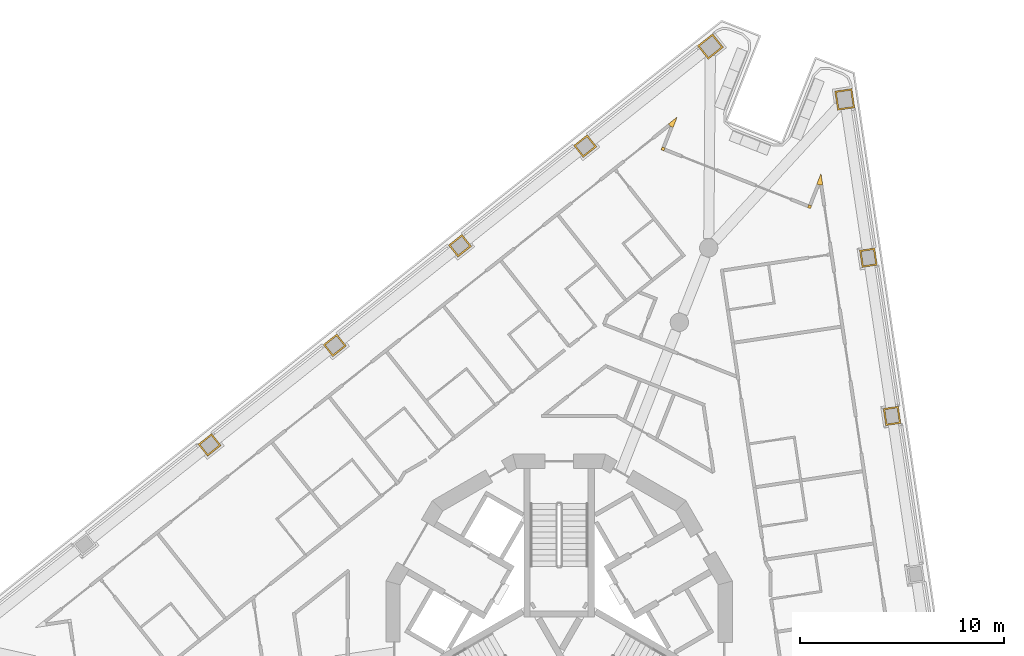
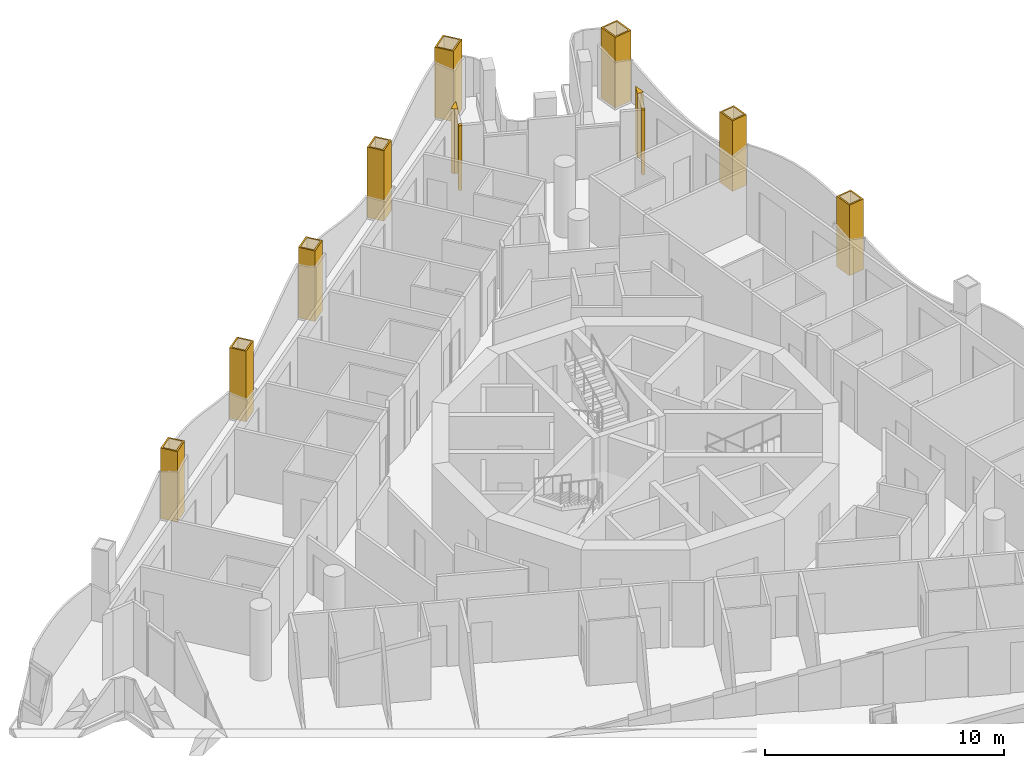
# One storey, part 16 of 17: 12 coverings.
"""IFC4 building model written with IfcOpenShell, lengths in metres."""

import ifcopenshell
import ifcopenshell.guid

model = None  # the IFC model being written
_history = None  # IfcOwnerHistory: only IFC2X3 demands one
_inside = {}  # id of a spatial element -> (the spatial element, [elements in it])
_under = {}  # id of a project, library or spatial element -> (it, [spatial elements below it])
_declared = {}  # id of a project -> (the project, [libraries it declares])
_typed = {}  # id of a type object -> (the type object, [elements of that type])
_made_of = {}  # id of a material, layer set ... -> (it, [elements and type objects made of it])


def new_model(schema):
    """Start an empty IFC model of exactly this schema.

    Asked for "IFC4X3", IfcOpenShell would pick the latest addendum, in which some entities
    have other attributes; the version numbers below select the first issue.
    IFC2X3 requires an IfcOwnerHistory on every rooted entity: one is made here for all.
    """
    global model, _history
    if schema == "IFC4X3":
        model = ifcopenshell.file(schema_version=(4, 3, 0, 0))
    else:
        model = ifcopenshell.file(schema=schema)
    _inside.clear()
    _under.clear()
    _declared.clear()
    _typed.clear()
    _made_of.clear()
    _history = None
    if model.schema == "IFC2X3":
        org = make("IfcOrganization", Name="unknown")
        user = make(
            "IfcPersonAndOrganization",
            ThePerson=make("IfcPerson", FamilyName="unknown"),
            TheOrganization=org,
        )
        app = make(
            "IfcApplication",
            ApplicationDeveloper=org,
            Version="unknown",
            ApplicationFullName="unknown",
            ApplicationIdentifier="unknown",
        )
        _history = make(
            "IfcOwnerHistory",
            OwningUser=user,
            OwningApplication=app,
            ChangeAction="ADDED",
            CreationDate=0,
        )
    return model


def make(cls, **values):
    """One entity of the class cls with the attributes given. An attribute that is None is left unset."""
    return model.create_entity(
        cls, **{name: value for name, value in values.items() if value is not None}
    )


def rooted(cls, **values):
    """An entity with a GlobalId (a new one), such as an element, a storey or a relation."""
    return make(cls, GlobalId=ifcopenshell.guid.new(), OwnerHistory=_history, **values)


def si_unit(unit_type, name, prefix=None):
    """IfcSIUnit, for example si_unit("LENGTHUNIT", "METRE", prefix="MILLI")."""
    return make("IfcSIUnit", UnitType=unit_type, Prefix=prefix, Name=name)


def assignment(units):
    """IfcUnitAssignment: the units of a project."""
    return None if units is None else make("IfcUnitAssignment", Units=units)


def point(xyz):
    """IfcCartesianPoint."""
    return None if xyz is None else make("IfcCartesianPoint", Coordinates=xyz)


def direction(xyz):
    """IfcDirection."""
    return None if xyz is None else make("IfcDirection", DirectionRatios=xyz)


def frame(location, z_axis=None, x_axis=None):
    """IfcAxis2Placement3D, a coordinate frame: its origin and axes. An axis left out is left unset."""
    return make(
        "IfcAxis2Placement3D",
        Location=point(location),
        Axis=direction(z_axis),
        RefDirection=direction(x_axis),
    )


def origin():
    """The frame at (0, 0, 0) with its axes left unset."""
    return frame((0.0, 0.0, 0.0))


def place(relative_to, where):
    """IfcLocalPlacement: puts the frame where relative to a parent placement (None: the world)."""
    return make(
        "IfcLocalPlacement", PlacementRelTo=relative_to, RelativePlacement=where
    )


def context(
    kind, dimensions, precision=None, world=None, true_north=None, identifier=None
):
    """IfcGeometricRepresentationContext, for example the 3D "Model" context."""
    return make(
        "IfcGeometricRepresentationContext",
        ContextIdentifier=identifier,
        ContextType=kind,
        CoordinateSpaceDimension=dimensions,
        Precision=precision,
        WorldCoordinateSystem=world,
        TrueNorth=true_north,
    )


def subcontext(parent, identifier, kind, view, scale=None):
    """IfcGeometricRepresentationSubContext, for example "Body" below "Model"."""
    return make(
        "IfcGeometricRepresentationSubContext",
        ContextIdentifier=identifier,
        ContextType=kind,
        ParentContext=parent,
        TargetScale=scale,
        TargetView=view,
    )


def project(units=None, contexts=None):
    """IfcProject with its units and contexts."""
    return rooted(
        "IfcProject",
        Name="project",
        RepresentationContexts=contexts,
        UnitsInContext=assignment(units),
    )


def spatial(cls, under=None, at=None, **own):
    """A site, building, storey or space (cls), placed at a placement, below another one or the project."""
    s = rooted(cls, ObjectPlacement=at, **own)
    if under is not None:
        _under.setdefault(under.id(), (under, []))[1].append(s)
    return s


def polyline(points):
    """IfcPolyline through the points."""
    return make("IfcPolyline", Points=[point(p) for p in points])


def outline(outer, holes=None, kind="AREA"):
    """IfcArbitraryClosedProfileDef: a profile drawn as a closed curve; with holes, ...WithVoids."""
    if holes is None:
        return make("IfcArbitraryClosedProfileDef", ProfileType=kind, OuterCurve=outer)
    return make(
        "IfcArbitraryProfileDefWithVoids",
        ProfileType=kind,
        OuterCurve=outer,
        InnerCurves=holes,
    )


def extrude(swept, where, along, depth):
    """IfcExtrudedAreaSolid: the profile swept, set in the frame where, extruded along a direction by depth."""
    return make(
        "IfcExtrudedAreaSolid",
        SweptArea=swept,
        Position=where,
        ExtrudedDirection=direction(along),
        Depth=depth,
    )


def shape(context_of_items, identifier, shape_type, items):
    """IfcShapeRepresentation: the items that make up one representation, for example the "Body"."""
    return make(
        "IfcShapeRepresentation",
        ContextOfItems=context_of_items,
        RepresentationIdentifier=identifier,
        RepresentationType=shape_type,
        Items=items,
    )


def material(Name=None, Category=None):
    """IfcMaterial."""
    return make("IfcMaterial", Name=Name, Category=Category)


def layer(
    of_material, thickness, ventilated=None, Name=None, Category=None, Priority=None
):
    """IfcMaterialLayer: one layer of a wall or slab, of a material (None: an air gap)."""
    return make(
        "IfcMaterialLayer",
        Material=of_material,
        LayerThickness=thickness,
        IsVentilated=ventilated,
        Name=Name,
        Category=Category,
        Priority=Priority,
    )


def layer_set(layers, Name=None):
    """IfcMaterialLayerSet."""
    return make("IfcMaterialLayerSet", MaterialLayers=layers, LayerSetName=Name)


def made_of(thing, what):
    """Note that an element or type object is made of a material, layer set ...; save() writes the relation."""
    if what is not None:
        _made_of.setdefault(what.id(), (what, []))[1].append(thing)
    return thing


def type_object(cls, material=None, **own):
    """A type object (cls), such as IfcWallType, which elements share."""
    return made_of(rooted(cls, **own), material)


def element(
    cls,
    number,
    at=None,
    inside=None,
    cuts=None,
    type_object=None,
    material=None,
    context=None,
    identifier="Body",
    shape_type=None,
    held_by="IfcProductDefinitionShape",
    body=None,
    shapes=None,
    **own,
):
    """One element of the class cls, such as IfcWall. Its Tag is "e" and its number.

    at: its placement. inside: the storey or other place that contains it. cuts: it is an
    opening in that element (IfcRelVoidsElement). A single representation is given by context,
    identifier, shape_type and body (its items); several are given by shapes. held_by: the class
    of the entity that holds the representations. save() writes the other relations.
    """
    e = rooted(cls, Tag="e%d" % number, ObjectPlacement=at, **own)
    if body is not None:
        shapes = [shape(context, identifier, shape_type, body)]
    if shapes is not None:
        e.Representation = make(held_by, Representations=shapes)
    if inside is not None:
        _inside.setdefault(inside.id(), (inside, []))[1].append(e)
    if cuts is not None:
        rooted(
            "IfcRelVoidsElement", RelatingBuildingElement=cuts, RelatedOpeningElement=e
        )
    if type_object is not None:
        _typed.setdefault(type_object.id(), (type_object, []))[1].append(e)
    return made_of(e, material)


def aggregate(whole, parts):
    """IfcRelAggregates: a whole, such as a stair, and the parts it consists of."""
    return rooted("IfcRelAggregates", RelatingObject=whole, RelatedObjects=parts)


def save(model, path):
    """Write the relations noted so far, then the file.

    IfcRelAggregates (storeys below a building ...), IfcRelContainedInSpatialStructure (elements
    in a storey), IfcRelDefinesByType, IfcRelAssociatesMaterial and IfcRelDeclares: one each for
    every whole, place, type object, material and project.
    """
    for whole, parts in _under.values():
        aggregate(whole, parts)
    for where, things in _inside.values():
        rooted(
            "IfcRelContainedInSpatialStructure",
            RelatedElements=things,
            RelatingStructure=where,
        )
    for kind, things in _typed.values():
        rooted("IfcRelDefinesByType", RelatedObjects=things, RelatingType=kind)
    for what, things in _made_of.values():
        rooted("IfcRelAssociatesMaterial", RelatedObjects=things, RelatingMaterial=what)
    for by, libraries in _declared.values():
        rooted("IfcRelDeclares", RelatingContext=by, RelatedDefinitions=libraries)
    model.write(path)


model = new_model("IFC4")

# Units and contexts
model_context = context("Model", 3, precision=1e-05, world=origin(), true_north=direction((0.0, 1.0)))
body_context = subcontext(model_context, "Body", "Model", "MODEL_VIEW")
ifc_project = project(units=[si_unit("LENGTHUNIT", "METRE"), si_unit("AREAUNIT", "SQUARE_METRE"), si_unit("VOLUMEUNIT", "CUBIC_METRE"), si_unit("PLANEANGLEUNIT", "RADIAN"), si_unit("MASSUNIT", "GRAM", prefix="KILO")], contexts=[model_context])

# Site, building, storey
site_placement = place(None, origin())
site = spatial("IfcSite", under=ifc_project, at=site_placement, CompositionType="ELEMENT")
building_placement = place(site_placement, origin())
building = spatial("IfcBuilding", under=site, at=building_placement, Name="Trine Commons Tower", CompositionType="ELEMENT")
storey_placement = place(building_placement, frame((0.0, 0.0, 208.800048828125)))
storey = spatial("IfcBuildingStorey", under=building, at=storey_placement, Name="L54", CompositionType="ELEMENT", Elevation=208.800048828125)

# Coverings
ifc_material_1 = material(Name="Aluminium-framed insulated wall panel", Category="aluminium")
ifc_layer_1 = layer(ifc_material_1, 0.14990234375)
ifc_layer_set_1 = layer_set([ifc_layer_1], Name="Aluminium-framed insulated wall panel")
covering_type_1 = type_object("IfcCoveringType", Name="Glazing corner post, aluminium", PredefinedType="CLADDING", material=ifc_layer_set_1)
covering_1_placement = place(storey_placement, origin())
element("IfcCovering", 1, at=covering_1_placement, inside=storey, type_object=covering_type_1, Name="Glazing corner post 6-02", PredefinedType="CLADDING", context=body_context, shape_type="SweptSolid", body=[
    extrude(outline(polyline([(85.451416015625, 87.089599609375), (85.451416015625, 87.089599609375), (85.591064453125, 87.03466796875), (85.796142578125, 87.5556640625), (85.358154296875, 87.20703125), (85.451416015625, 87.089599609375)])), origin(), (0.0, 0.0, 1.0), 3.300048828125),
])
covering_2_placement = place(storey_placement, origin())
element("IfcCovering", 2, at=covering_2_placement, inside=storey, type_object=covering_type_1, Name="Glazing corner post 6-03", PredefinedType="CLADDING", context=body_context, shape_type="SweptSolid", body=[
    extrude(outline(polyline([(85.13818359375, 85.885009765625), (85.193115234375, 86.0244140625), (85.0537109375, 86.07958984375), (84.99853515625, 85.93994140625), (85.13818359375, 85.885009765625)])), origin(), (0.0, 0.0, 1.0), 3.300048828125),
])
covering_3_placement = place(storey_placement, origin())
element("IfcCovering", 3, at=covering_3_placement, inside=storey, type_object=covering_type_1, Name="Glazing corner post 6-04", PredefinedType="CLADDING", context=body_context, shape_type="SweptSolid", body=[
    extrude(outline(polyline([(92.190673828125, 83.10693359375), (92.330322265625, 83.052001953125), (92.38525390625, 83.19140625), (92.24560546875, 83.246337890625), (92.190673828125, 83.10693359375)])), origin(), (0.0, 0.0, 1.0), 3.300048828125),
])
covering_4_placement = place(storey_placement, origin())
element("IfcCovering", 4, at=covering_4_placement, inside=storey, type_object=covering_type_1, Name="Glazing corner post 6-05", PredefinedType="CLADDING", context=body_context, shape_type="SweptSolid", body=[
    extrude(outline(polyline([(92.6435546875, 84.256591796875), (92.783203125, 84.20166015625), (92.931396484375, 84.223876953125), (92.848876953125, 84.777587890625), (92.6435546875, 84.256591796875)])), origin(), (0.0, 0.0, 1.0), 3.300048828125),
])
ifc_material_2 = material(Name="Limestone, honed", Category="masonry")
ifc_layer_2 = layer(ifc_material_2, 0.074951171875)
ifc_layer_set_2 = layer_set([ifc_layer_2], Name="Limestone, honed")
covering_type_2 = type_object("IfcCoveringType", Name="Limestone column cladding 75", PredefinedType="CLADDING", material=ifc_layer_set_2)
covering_5_placement = place(storey_placement, origin())
element("IfcCovering", 5, at=covering_5_placement, inside=storey, type_object=covering_type_2, Name="Limestone pier cladding 6-10", PredefinedType="CLADDING", context=body_context, shape_type="SweptSolid", body=[
    extrude(outline(polyline([(63.40966796875, 71.4287109375), (62.942626953125, 72.015625), (62.27734375, 71.486572265625), (62.744384765625, 70.899658203125), (63.40966796875, 71.4287109375)]), holes=[polyline([(63.30419921875, 71.440673828125), (62.9306640625, 71.910400390625), (62.3828125, 71.474609375), (62.75634765625, 71.0048828125), (63.30419921875, 71.440673828125)])]), origin(), (0.0, 0.0, 1.0), 3.599853515625),
])
covering_6_placement = place(storey_placement, origin())
element("IfcCovering", 6, at=covering_6_placement, inside=storey, type_object=covering_type_2, Name="Limestone pier cladding 6-11", PredefinedType="CLADDING", context=body_context, shape_type="SweptSolid", body=[
    extrude(outline(polyline([(69.553466796875, 76.31591796875), (69.086669921875, 76.902587890625), (68.42138671875, 76.37353515625), (68.88818359375, 75.78662109375), (69.553466796875, 76.31591796875)]), holes=[polyline([(69.447998046875, 76.327880859375), (69.07470703125, 76.79736328125), (68.526611328125, 76.361572265625), (68.900146484375, 75.89208984375), (69.447998046875, 76.327880859375)])]), origin(), (0.0, 0.0, 1.0), 3.599853515625),
])
covering_7_placement = place(storey_placement, origin())
element("IfcCovering", 7, at=covering_7_placement, inside=storey, type_object=covering_type_2, Name="Limestone pier cladding 6-12", PredefinedType="CLADDING", context=body_context, shape_type="SweptSolid", body=[
    extrude(outline(polyline([(75.697509765625, 81.202880859375), (75.230712890625, 81.789794921875), (74.565185546875, 81.2607421875), (75.0322265625, 80.673828125), (75.697509765625, 81.202880859375)]), holes=[polyline([(75.592041015625, 81.21484375), (75.218505859375, 81.6845703125), (74.670654296875, 81.248779296875), (75.044189453125, 80.779052734375), (75.592041015625, 81.21484375)])]), origin(), (0.0, 0.0, 1.0), 3.599853515625),
])
covering_8_placement = place(storey_placement, origin())
element("IfcCovering", 8, at=covering_8_placement, inside=storey, type_object=covering_type_2, Name="Limestone pier cladding 6-13", PredefinedType="CLADDING", context=body_context, shape_type="SweptSolid", body=[
    extrude(outline(polyline([(81.84130859375, 86.090087890625), (81.37451171875, 86.677001953125), (80.709228515625, 86.147705078125), (81.176025390625, 85.560791015625), (81.84130859375, 86.090087890625)]), holes=[polyline([(81.736083984375, 86.10205078125), (81.362548828125, 86.571533203125), (80.814697265625, 86.1357421875), (81.18798828125, 85.666259765625), (81.736083984375, 86.10205078125)])]), origin(), (0.0, 0.0, 1.0), 3.599853515625),
])
covering_9_placement = place(storey_placement, origin())
element("IfcCovering", 9, at=covering_9_placement, inside=storey, type_object=covering_type_2, Name="Limestone pier cladding 6-14", PredefinedType="CLADDING", context=body_context, shape_type="SweptSolid", body=[
    extrude(outline(polyline([(88.0556640625, 90.968994140625), (87.526611328125, 91.63427734375), (86.782958984375, 91.04296875), (87.31201171875, 90.377685546875), (88.0556640625, 90.968994140625)]), holes=[polyline([(87.9501953125, 90.981201171875), (87.514404296875, 91.52880859375), (86.888427734375, 91.031005859375), (87.32421875, 90.483154296875), (87.9501953125, 90.981201171875)])]), origin(), (0.0, 0.0, 1.0), 3.599853515625),
])
covering_10_placement = place(storey_placement, origin())
element("IfcCovering", 10, at=covering_10_placement, inside=storey, type_object=covering_type_2, Name="Limestone pier cladding 6-15", PredefinedType="CLADDING", context=body_context, shape_type="SweptSolid", body=[
    extrude(outline(polyline([(94.364990234375, 88.9404296875), (93.5244140625, 88.81494140625), (93.664794921875, 87.875244140625), (94.505615234375, 88.0009765625), (94.364990234375, 88.9404296875)]), holes=[polyline([(94.302001953125, 88.855224609375), (93.609619140625, 88.751708984375), (93.72802734375, 87.960693359375), (94.42041015625, 88.06396484375), (94.302001953125, 88.855224609375)])]), origin(), (0.0, 0.0, 1.0), 3.599853515625),
])
covering_11_placement = place(storey_placement, origin())
element("IfcCovering", 11, at=covering_11_placement, inside=storey, type_object=covering_type_2, Name="Limestone pier cladding 6-16", PredefinedType="CLADDING", context=body_context, shape_type="SweptSolid", body=[
    extrude(outline(polyline([(95.4833984375, 81.119384765625), (94.74169921875, 81.00830078125), (94.8671875, 80.167724609375), (95.609130859375, 80.278564453125), (95.4833984375, 81.119384765625)]), holes=[polyline([(95.42041015625, 81.033935546875), (94.826904296875, 80.9453125), (94.930419921875, 80.2529296875), (95.523681640625, 80.341796875), (95.42041015625, 81.033935546875)])]), origin(), (0.0, 0.0, 1.0), 3.599853515625),
])
covering_12_placement = place(storey_placement, origin())
element("IfcCovering", 12, at=covering_12_placement, inside=storey, type_object=covering_type_2, Name="Limestone pier cladding 6-17", PredefinedType="CLADDING", context=body_context, shape_type="SweptSolid", body=[
    extrude(outline(polyline([(96.643798828125, 73.35498046875), (95.902099609375, 73.244140625), (96.027587890625, 72.4033203125), (96.769287109375, 72.514404296875), (96.643798828125, 73.35498046875)]), holes=[polyline([(96.580810546875, 73.269775390625), (95.9873046875, 73.180908203125), (96.0908203125, 72.48876953125), (96.68408203125, 72.577392578125), (96.580810546875, 73.269775390625)])]), origin(), (0.0, 0.0, 1.0), 3.599853515625),
])

save(model, "model.ifc")
